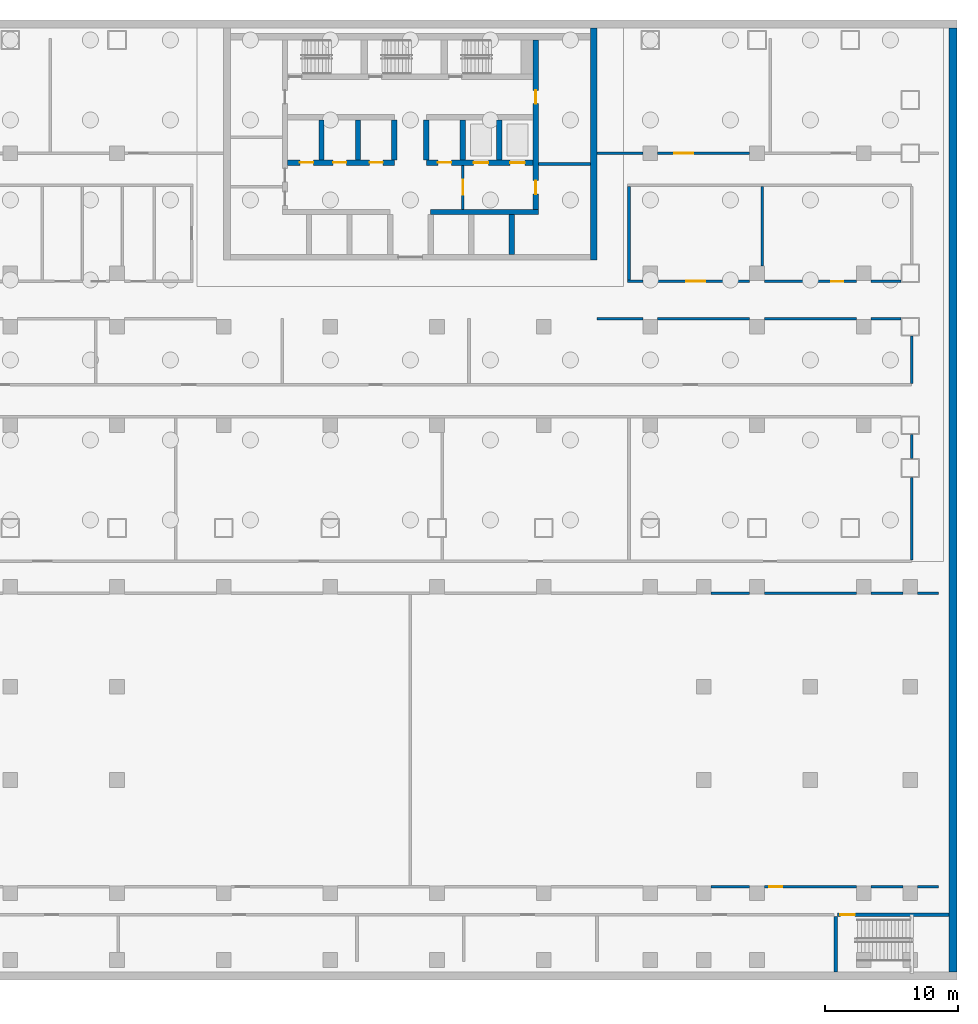
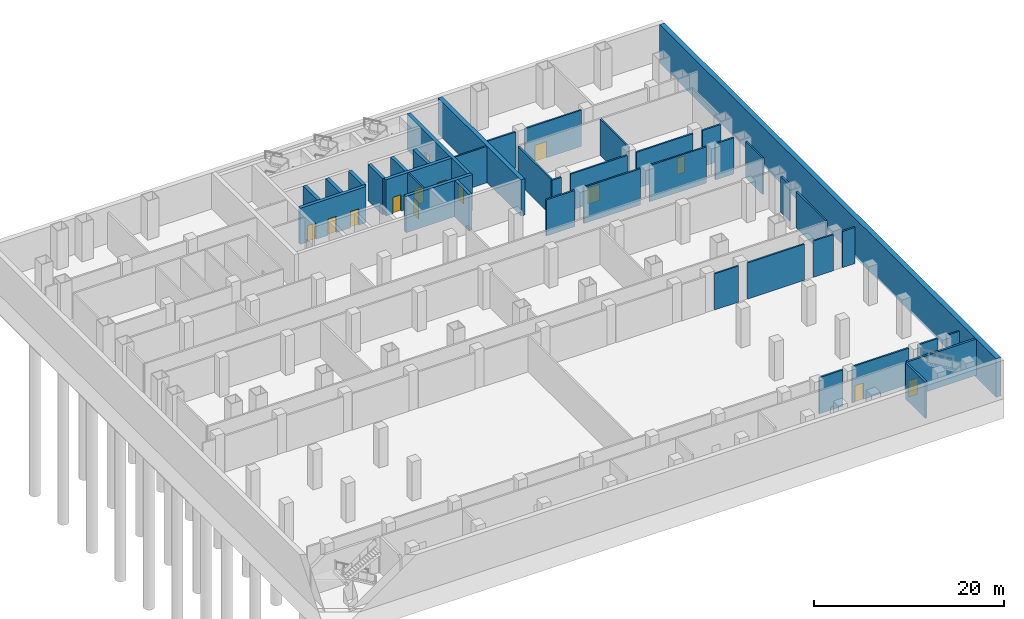
# One storey, part 8 of 14: 40 walls, 14 doors, 14 openings.
"""IFC4 building model written with IfcOpenShell, lengths in metres."""

from ifc_helpers import new_model, si_unit, direction, frame, frame_2d, origin, place, context, subcontext, project, spatial, rectangle, extrude, material, layer, layer_set, type_object, element, fill, save


model = new_model("IFC4")

# Units and contexts
model_context = context("Model", 3, precision=1e-05, world=origin(), true_north=direction((0.0, 1.0)))
body_context = subcontext(model_context, "Body", "Model", "MODEL_VIEW")
ifc_project = project(units=[si_unit("LENGTHUNIT", "METRE"), si_unit("AREAUNIT", "SQUARE_METRE"), si_unit("VOLUMEUNIT", "CUBIC_METRE"), si_unit("PLANEANGLEUNIT", "RADIAN"), si_unit("MASSUNIT", "GRAM", prefix="KILO")], contexts=[model_context])

# Site, building, storey
site_placement = place(None, origin())
site = spatial("IfcSite", under=ifc_project, at=site_placement, CompositionType="ELEMENT")
building_placement = place(site_placement, origin())
building = spatial("IfcBuilding", under=site, at=building_placement, Name="Vidyagriha Tower", CompositionType="ELEMENT")
storey_placement = place(building_placement, frame((0.0, 0.0, -10.0)))
storey = spatial("IfcBuildingStorey", under=building, at=storey_placement, Name="B2", CompositionType="ELEMENT", Elevation=-10.0)

# Wall
ifc_material_1 = material(Name="Concrete C50/60", Category="concrete")
ifc_layer_1 = layer(ifc_material_1, 0.60009765625)
ifc_layer_set_1 = layer_set([ifc_layer_1], Name="Concrete C50/60")
wall_type_1 = type_object("IfcWallType", Name="Basement retaining wall 600", PredefinedType="SOLIDWALL", material=ifc_layer_set_1)
wall_1_placement = place(storey_placement, frame((40.699951171875, -50.39990234375, -0.300048828125), z_axis=(0.0, 0.0, 1.0), x_axis=(0.0, 1.0, 0.0)))
element("IfcWall", 1, at=wall_1_placement, inside=storey, type_object=wall_type_1, Name="st-retwall-B2-e", PredefinedType="SOLIDWALL", context=body_context, shape_type="SweptSolid", body=[
    extrude(rectangle(XDim=70.7998046875, YDim=0.60009765625, at=frame_2d((35.39990234375, 0.0))), origin(), (0.0, 0.0, 1.0), 4.949951171875),
])

# Wall, opening, door
ifc_material_2 = material(Name="Concrete C32/40", Category="concrete")
ifc_layer_2 = layer(ifc_material_2, 0.25)
ifc_layer_set_2 = layer_set([ifc_layer_2], Name="Concrete C32/40")
wall_type_2 = type_object("IfcWallType", Name="Concrete Stair Enclosure Wall 250", PredefinedType="SOLIDWALL", material=ifc_layer_set_2)
wall_2_placement = place(storey_placement, frame((32.02490234375, -46.10009765625, 0.0)))
wall_2 = element("IfcWall", 2, at=wall_2_placement, inside=storey, type_object=wall_type_2, Name="B2 Concrete Stair Enclosure Wall 250 002", PredefinedType="SOLIDWALL", context=body_context, shape_type="SweptSolid", body=[
    extrude(rectangle(XDim=8.375, YDim=0.25, at=frame_2d((4.1875, 0.0))), origin(), (0.0, 0.0, 1.0), 4.64990234375),
])
opening_1_placement = place(wall_2_placement, frame((0.219970703125, 0.0, 0.0)))
opening_1 = element("IfcOpeningElement", 3, at=opening_1_placement, cuts=wall_2, Name="Opening DB2-41", PredefinedType="OPENING", context=body_context, shape_type="SweptSolid", body=[
    extrude(rectangle(XDim=1.10009765625, YDim=2.10009765625, at=frame_2d((0.550048828125, 1.050048828125))), frame((0.0, 0.135009765625, 0.0), z_axis=(0.0, -1.0, 0.0), x_axis=(1.0, 0.0, 0.0)), (0.0, 0.0, 1.0), 0.27001953125),
])
ifc_material_3 = material(Name="Steel fire door set", Category="steel")
door_type_1 = type_object("IfcDoorType", Name="Podium Door 1100x2100 EI 90", OperationType="NOTDEFINED", PredefinedType="DOOR", material=ifc_material_3)
door_1_placement = place(opening_1_placement, origin())
door_1 = element("IfcDoor", 4, at=door_1_placement, inside=storey, type_object=door_type_1, Name="B2 door DB2-41", OperationType="SINGLE_SWING_LEFT", OverallHeight=2.10009765625, OverallWidth=1.10009765625, PredefinedType="DOOR", context=body_context, shape_type="SweptSolid", body=[
    extrude(rectangle(XDim=1.10009765625, YDim=2.10009765625, at=frame_2d((0.550048828125, 1.050048828125))), frame((0.0, 0.02490234375, 0.0), z_axis=(0.0, -1.0, 0.0), x_axis=(1.0, 0.0, 0.0)), (0.0, 0.0, 1.0), 0.050048828125),
])
fill(opening_1, door_1)

# Wall
wall_3_placement = place(storey_placement, frame((31.89990234375, -50.39990234375, 0.0), z_axis=(0.0, 0.0, 1.0), x_axis=(0.0, 1.0, 0.0)))
element("IfcWall", 5, at=wall_3_placement, inside=storey, type_object=wall_type_2, Name="B2 Concrete Stair Enclosure Wall 250 083", PredefinedType="SOLIDWALL", context=body_context, shape_type="SweptSolid", body=[
    extrude(rectangle(XDim=4.1748046875, YDim=0.25, at=frame_2d((2.08740234375, 0.0))), origin(), (0.0, 0.0, 1.0), 4.64990234375),
])

# Wall, openings, doors
ifc_material_4 = material(Name="Concrete C60/75", Category="concrete")
ifc_layer_3 = layer(ifc_material_4, 0.39990234375)
ifc_layer_set_3 = layer_set([ifc_layer_3], Name="Concrete C60/75")
wall_type_3 = type_object("IfcWallType", Name="Core shear wall 400 mm", PredefinedType="SHEAR", material=ifc_layer_set_3)
wall_4_placement = place(storey_placement, frame((9.39990234375, 6.800048828125, 0.0), z_axis=(0.0, 0.0, 1.0), x_axis=(0.0, 1.0, 0.0)))
wall_4 = element("IfcWall", 6, at=wall_4_placement, inside=storey, type_object=wall_type_3, Name="Core east spine wall", PredefinedType="SHEAR", context=body_context, shape_type="SweptSolid", body=[
    extrude(rectangle(XDim=12.699951171875, YDim=0.39990234375, at=frame_2d((6.35009765625, 0.0))), origin(), (0.0, 0.0, 1.0), 4.64990234375),
])
opening_2_placement = place(wall_4_placement, frame((1.14990234375, 0.0, 0.0)))
opening_2 = element("IfcOpeningElement", 7, at=opening_2_placement, cuts=wall_4, Name="Opening DB2-13", PredefinedType="OPENING", context=body_context, shape_type="SweptSolid", body=[
    extrude(rectangle(XDim=1.0, YDim=2.10009765625, at=frame_2d((0.5, 1.050048828125))), frame((0.0, 0.2099609375, 0.0), z_axis=(0.0, -1.0, 0.0), x_axis=(1.0, 0.0, 0.0)), (0.0, 0.0, 1.0), 0.419921875),
])
opening_3_placement = place(wall_4_placement, frame((7.925048828125, 0.0, 0.0)))
opening_3 = element("IfcOpeningElement", 8, at=opening_3_placement, cuts=wall_4, Name="Opening DB2-14", PredefinedType="OPENING", context=body_context, shape_type="SweptSolid", body=[
    extrude(rectangle(XDim=1.0, YDim=2.10009765625, at=frame_2d((0.5, 1.050048828125))), frame((0.0, 0.2099609375, 0.0), z_axis=(0.0, -1.0, 0.0), x_axis=(1.0, 0.0, 0.0)), (0.0, 0.0, 1.0), 0.419921875),
])
ifc_material_5 = material(Name="Hollow metal door leaf")
door_type_2 = type_object("IfcDoorType", Name="Core room door 1000 x 2100 mm EI 60", OperationType="NOTDEFINED", PredefinedType="DOOR", material=ifc_material_5)
door_2_placement = place(opening_2_placement, origin())
door_2 = element("IfcDoor", 9, at=door_2_placement, inside=storey, type_object=door_type_2, Name="Door Cleaners Store B2.E1", OperationType="SINGLE_SWING_RIGHT", OverallHeight=2.10009765625, OverallWidth=1.0, PredefinedType="DOOR", context=body_context, shape_type="SweptSolid", body=[
    extrude(rectangle(XDim=1.0, YDim=2.10009765625, at=frame_2d((0.5, 1.050048828125))), frame((0.0, 0.02490234375, 0.0), z_axis=(0.0, -1.0, 0.0), x_axis=(1.0, 0.0, 0.0)), (0.0, 0.0, 1.0), 0.050048828125),
])
fill(opening_2, door_2)
door_3_placement = place(opening_3_placement, origin())
door_3 = element("IfcDoor", 10, at=door_3_placement, inside=storey, type_object=door_type_2, Name="Door Pressurisation Plant Room B2.E2", OperationType="SINGLE_SWING_LEFT", OverallHeight=2.10009765625, OverallWidth=1.0, PredefinedType="DOOR", context=body_context, shape_type="SweptSolid", body=[
    extrude(rectangle(XDim=1.0, YDim=2.10009765625, at=frame_2d((0.5, 1.050048828125))), frame((0.0, 0.02490234375, 0.0), z_axis=(0.0, -1.0, 0.0), x_axis=(1.0, 0.0, 0.0)), (0.0, 0.0, 1.0), 0.050048828125),
])
fill(opening_3, door_3)

# Walls
wall_5_placement = place(storey_placement, frame((1.522216796875, 6.60009765625, 0.0)))
element("IfcWall", 11, at=wall_5_placement, inside=storey, type_object=wall_type_3, Name="Core lobby south wall east", PredefinedType="SHEAR", context=body_context, shape_type="SweptSolid", body=[
    extrude(rectangle(XDim=8.077880859375, YDim=0.39990234375, at=frame_2d((4.0390625, 0.0))), origin(), (0.0, 0.0, 1.0), 4.64990234375),
])
wall_6_placement = place(storey_placement, frame((7.611083984375, 3.39990234375, 0.0), z_axis=(0.0, 0.0, 1.0), x_axis=(0.0, 1.0, 0.0)))
element("IfcWall", 12, at=wall_6_placement, inside=storey, type_object=wall_type_3, Name="Core bay wall S7", PredefinedType="SHEAR", context=body_context, shape_type="SweptSolid", body=[
    extrude(rectangle(XDim=3.0, YDim=0.39990234375, at=frame_2d((1.5, 0.0))), origin(), (0.0, 0.0, 1.0), 4.64990234375),
])

# Wall, openings, doors
wall_7_placement = place(storey_placement, frame((-9.199951171875, 10.300048828125, 0.0)))
wall_7 = element("IfcWall", 13, at=wall_7_placement, inside=storey, type_object=wall_type_3, Name="Core row N front wall", PredefinedType="SHEAR", context=body_context, shape_type="SweptSolid", body=[
    extrude(rectangle(XDim=8.0, YDim=0.39990234375, at=frame_2d((4.0, 0.0))), origin(), (0.0, 0.0, 1.0), 4.64990234375),
])
opening_4_placement = place(wall_7_placement, frame((0.916748046875, 0.0, 0.0)))
opening_4 = element("IfcOpeningElement", 14, at=opening_4_placement, cuts=wall_7, Name="Opening DB2-02", PredefinedType="OPENING", context=body_context, shape_type="SweptSolid", body=[
    extrude(rectangle(XDim=1.0, YDim=2.10009765625, at=frame_2d((0.5, 1.050048828125))), frame((0.0, 0.2099609375, 0.0), z_axis=(0.0, -1.0, 0.0), x_axis=(1.0, 0.0, 0.0)), (0.0, 0.0, 1.0), 0.419921875),
])
opening_5_placement = place(wall_7_placement, frame((3.39990234375, 0.0, 0.0)))
opening_5 = element("IfcOpeningElement", 15, at=opening_5_placement, cuts=wall_7, Name="Opening DB2-03", PredefinedType="OPENING", context=body_context, shape_type="SweptSolid", body=[
    extrude(rectangle(XDim=1.0, YDim=2.10009765625, at=frame_2d((0.5, 1.050048828125))), frame((0.0, 0.2099609375, 0.0), z_axis=(0.0, -1.0, 0.0), x_axis=(1.0, 0.0, 0.0)), (0.0, 0.0, 1.0), 0.419921875),
])
opening_6_placement = place(wall_7_placement, frame((6.13330078125, 0.0, 0.0)))
opening_6 = element("IfcOpeningElement", 16, at=opening_6_placement, cuts=wall_7, Name="Opening DB2-04", PredefinedType="OPENING", context=body_context, shape_type="SweptSolid", body=[
    extrude(rectangle(XDim=1.0, YDim=2.10009765625, at=frame_2d((0.5, 1.050048828125))), frame((0.0, 0.2099609375, 0.0), z_axis=(0.0, -1.0, 0.0), x_axis=(1.0, 0.0, 0.0)), (0.0, 0.0, 1.0), 0.419921875),
])
door_4_placement = place(opening_4_placement, frame((1.0, 0.0, 0.0), z_axis=(0.0, 0.0, 1.0), x_axis=(-1.0, 0.0, 0.0)))
door_4 = element("IfcDoor", 17, at=door_4_placement, inside=storey, type_object=door_type_2, Name="Door Mechanical Riser Room B2.14", OperationType="SINGLE_SWING_RIGHT", OverallHeight=2.10009765625, OverallWidth=1.0, PredefinedType="DOOR", context=body_context, shape_type="SweptSolid", body=[
    extrude(rectangle(XDim=1.0, YDim=2.10009765625, at=frame_2d((0.5, 1.050048828125))), frame((0.0, 0.02490234375, 0.0), z_axis=(0.0, -1.0, 0.0), x_axis=(1.0, 0.0, 0.0)), (0.0, 0.0, 1.0), 0.050048828125),
])
fill(opening_4, door_4)
door_5_placement = place(opening_5_placement, frame((1.0, 0.0, 0.0), z_axis=(0.0, 0.0, 1.0), x_axis=(-1.0, 0.0, 0.0)))
door_5 = element("IfcDoor", 18, at=door_5_placement, inside=storey, type_object=door_type_2, Name="Door Storage Room B2.15", OperationType="SINGLE_SWING_RIGHT", OverallHeight=2.10009765625, OverallWidth=1.0, PredefinedType="DOOR", context=body_context, shape_type="SweptSolid", body=[
    extrude(rectangle(XDim=1.0, YDim=2.10009765625, at=frame_2d((0.5, 1.050048828125))), frame((0.0, 0.02490234375, 0.0), z_axis=(0.0, -1.0, 0.0), x_axis=(1.0, 0.0, 0.0)), (0.0, 0.0, 1.0), 0.050048828125),
])
fill(opening_5, door_5)
door_6_placement = place(opening_6_placement, frame((1.0, 0.0, 0.0), z_axis=(0.0, 0.0, 1.0), x_axis=(-1.0, 0.0, 0.0)))
door_6 = element("IfcDoor", 19, at=door_6_placement, inside=storey, type_object=door_type_2, Name="Door Communications Room B2.16", OperationType="SINGLE_SWING_LEFT", OverallHeight=2.10009765625, OverallWidth=1.0, PredefinedType="DOOR", context=body_context, shape_type="SweptSolid", body=[
    extrude(rectangle(XDim=1.0, YDim=2.10009765625, at=frame_2d((0.5, 1.050048828125))), frame((0.0, 0.02490234375, 0.0), z_axis=(0.0, -1.0, 0.0), x_axis=(1.0, 0.0, 0.0)), (0.0, 0.0, 1.0), 0.050048828125),
])
fill(opening_6, door_6)

wall_8_placement = place(storey_placement, frame((1.199951171875, 10.300048828125, 0.0)))
wall_8 = element("IfcWall", 20, at=wall_8_placement, inside=storey, type_object=wall_type_3, Name="Core row N front wall", PredefinedType="SHEAR", context=body_context, shape_type="SweptSolid", body=[
    extrude(rectangle(XDim=8.0, YDim=0.39990234375, at=frame_2d((4.0, 0.0))), origin(), (0.0, 0.0, 1.0), 4.64990234375),
])
opening_7_placement = place(wall_8_placement, frame((3.550048828125, 0.0, 0.0)))
opening_7 = element("IfcOpeningElement", 21, at=opening_7_placement, cuts=wall_8, Name="Opening LDB2-01", PredefinedType="OPENING", context=body_context, shape_type="SweptSolid", body=[
    extrude(rectangle(XDim=1.10009765625, YDim=2.10009765625, at=frame_2d((0.550048828125, 1.050048828125))), frame((0.0, 0.2099609375, 0.0), z_axis=(0.0, -1.0, 0.0), x_axis=(1.0, 0.0, 0.0)), (0.0, 0.0, 1.0), 0.419921875),
])
opening_8_placement = place(wall_8_placement, frame((6.283203125, 0.0, 0.0)))
opening_8 = element("IfcOpeningElement", 22, at=opening_8_placement, cuts=wall_8, Name="Opening LDB2-02", PredefinedType="OPENING", context=body_context, shape_type="SweptSolid", body=[
    extrude(rectangle(XDim=1.10009765625, YDim=2.10009765625, at=frame_2d((0.550048828125, 1.050048828125))), frame((0.0, 0.2099609375, 0.0), z_axis=(0.0, -1.0, 0.0), x_axis=(1.0, 0.0, 0.0)), (0.0, 0.0, 1.0), 0.419921875),
])
opening_9_placement = place(wall_8_placement, frame((0.86669921875, 0.0, 0.0)))
opening_9 = element("IfcOpeningElement", 23, at=opening_9_placement, cuts=wall_8, Name="Opening DB2-05", PredefinedType="OPENING", context=body_context, shape_type="SweptSolid", body=[
    extrude(rectangle(XDim=1.0, YDim=2.10009765625, at=frame_2d((0.5, 1.050048828125))), frame((0.0, 0.2099609375, 0.0), z_axis=(0.0, -1.0, 0.0), x_axis=(1.0, 0.0, 0.0)), (0.0, 0.0, 1.0), 0.419921875),
])
door_7_placement = place(opening_9_placement, frame((1.0, 0.0, 0.0), z_axis=(0.0, 0.0, 1.0), x_axis=(-1.0, 0.0, 0.0)))
door_7 = element("IfcDoor", 24, at=door_7_placement, inside=storey, type_object=door_type_2, Name="Door Refuse Room B2.17", OperationType="SINGLE_SWING_LEFT", OverallHeight=2.10009765625, OverallWidth=1.0, PredefinedType="DOOR", context=body_context, shape_type="SweptSolid", body=[
    extrude(rectangle(XDim=1.0, YDim=2.10009765625, at=frame_2d((0.5, 1.050048828125))), frame((0.0, 0.02490234375, 0.0), z_axis=(0.0, -1.0, 0.0), x_axis=(1.0, 0.0, 0.0)), (0.0, 0.0, 1.0), 0.050048828125),
])
fill(opening_9, door_7)
ifc_material_6 = material(Name="Stainless steel sliding door panel", Category="steel")
door_type_3 = type_object("IfcDoorType", Name="Lift landing door 1100 x 2100 mm EI 90", OperationType="NOTDEFINED", PredefinedType="DOOR", material=ifc_material_6)
door_8_placement = place(opening_7_placement, origin())
door_8 = element("IfcDoor", 25, at=door_8_placement, inside=storey, type_object=door_type_3, Name="Landing door FF1 B2", OperationType="SLIDING_TO_LEFT", OverallHeight=2.10009765625, OverallWidth=1.10009765625, PredefinedType="DOOR", context=body_context, shape_type="SweptSolid", body=[
    extrude(rectangle(XDim=1.10009765625, YDim=2.10009765625, at=frame_2d((0.550048828125, 1.050048828125))), frame((0.0, 0.02490234375, 0.0), z_axis=(0.0, -1.0, 0.0), x_axis=(1.0, 0.0, 0.0)), (0.0, 0.0, 1.0), 0.050048828125),
])
fill(opening_7, door_8)
door_9_placement = place(opening_8_placement, origin())
door_9 = element("IfcDoor", 26, at=door_9_placement, inside=storey, type_object=door_type_3, Name="Landing door FF2 B2", OperationType="SLIDING_TO_LEFT", OverallHeight=2.10009765625, OverallWidth=1.10009765625, PredefinedType="DOOR", context=body_context, shape_type="SweptSolid", body=[
    extrude(rectangle(XDim=1.10009765625, YDim=2.10009765625, at=frame_2d((0.550048828125, 1.050048828125))), frame((0.0, 0.02490234375, 0.0), z_axis=(0.0, -1.0, 0.0), x_axis=(1.0, 0.0, 0.0)), (0.0, 0.0, 1.0), 0.050048828125),
])
fill(opening_8, door_9)

# Walls
for number, where, z_axis, x_axis, name in (
    (27, (-6.666748046875, 10.5, 0.0), (0.0, 0.0, 1.0), (0.0, 1.0, 0.0), "Core bay wall N1"),
    (28, (-3.933349609375, 10.5, 0.0), (0.0, 0.0, 1.0), (0.0, 1.0, 0.0), "Core bay wall N2"),
    (29, (-1.199951171875, 10.5, 0.0), (0.0, 0.0, 1.0), (0.0, 1.0, 0.0), "Core bay wall N3"),
    (30, (1.199951171875, 10.5, 0.0), (0.0, 0.0, 1.0), (0.0, 1.0, 0.0), "Core bay wall N4"),
    (31, (3.933349609375, 10.5, 0.0), (0.0, 0.0, 1.0), (0.0, 1.0, 0.0), "Core bay wall N5"),
    (32, (6.666748046875, 10.5, 0.0), (0.0, 0.0, 1.0), (0.0, 1.0, 0.0), "Core bay wall N6"),
):
    element("IfcWall", number, at=place(storey_placement, frame(where, z_axis=z_axis, x_axis=x_axis)), inside=storey, type_object=wall_type_3, Name=name, PredefinedType="SHEAR", context=body_context, shape_type="SweptSolid", body=[
        extrude(rectangle(XDim=3.0, YDim=0.39990234375, at=frame_2d((1.5, 0.0))), origin(), (0.0, 0.0, 1.0), 4.64990234375),
    ])
ifc_material_7 = material(Name="Concrete C60/75", Category="concrete")
ifc_layer_4 = layer(ifc_material_7, 0.5)
ifc_layer_set_4 = layer_set([ifc_layer_4], Name="Concrete C60/75")
wall_type_4 = type_object("IfcWallType", Name="Core shear wall 500 mm", PredefinedType="SHEAR", material=ifc_layer_set_4)
wall_9_placement = place(storey_placement, frame((13.75, 3.0, 0.0), z_axis=(0.0, 0.0, 1.0), x_axis=(0.0, 1.0, 0.0)))
element("IfcWall", 33, at=wall_9_placement, inside=storey, type_object=wall_type_4, Name="Core east wall", PredefinedType="SHEAR", context=body_context, shape_type="SweptSolid", body=[
    extrude(rectangle(XDim=17.39990234375, YDim=0.5, at=frame_2d((8.699951171875, 0.0))), origin(), (0.0, 0.0, 1.0), 4.64990234375),
])
ifc_material_8 = material(Name="Fire rated gypsum board on light gauge framing")
ifc_layer_5 = layer(ifc_material_8, 0.199951171875)
ifc_layer_set_5 = layer_set([ifc_layer_5], Name="Fire rated gypsum board on light gauge framing")
wall_type_5 = type_object("IfcWallType", Name="Fire Rated Corridor Wall 200", PredefinedType="PARTITIONING", material=ifc_layer_set_5)
wall_10_placement = place(storey_placement, frame((22.550048828125, -44.0, 0.0)))
element("IfcWall", 34, at=wall_10_placement, inside=storey, type_object=wall_type_5, Name="B2 Fire Rated Corridor Wall 200 012", PredefinedType="PARTITIONING", context=body_context, shape_type="SweptSolid", body=[
    extrude(rectangle(XDim=2.89990234375, YDim=0.199951171875, at=frame_2d((1.449951171875, 0.0))), origin(), (0.0, 0.0, 1.0), 4.64990234375),
])

# Wall, opening, door
wall_11_placement = place(storey_placement, frame((26.550048828125, -44.0, 0.0)))
wall_11 = element("IfcWall", 35, at=wall_11_placement, inside=storey, type_object=wall_type_5, Name="B2 Fire Rated Corridor Wall 200 013", PredefinedType="PARTITIONING", context=body_context, shape_type="SweptSolid", body=[
    extrude(rectangle(XDim=6.89990234375, YDim=0.199951171875, at=frame_2d((3.449951171875, 0.0))), origin(), (0.0, 0.0, 1.0), 4.64990234375),
])
opening_10_placement = place(wall_11_placement, frame((0.35009765625, 0.0, 0.0)))
opening_10 = element("IfcOpeningElement", 36, at=opening_10_placement, cuts=wall_11, Name="Opening DB2-39", PredefinedType="OPENING", context=body_context, shape_type="SweptSolid", body=[
    extrude(rectangle(XDim=1.0, YDim=2.10009765625, at=frame_2d((0.5, 1.050048828125))), frame((0.0, 0.10986328125, 0.0), z_axis=(0.0, -1.0, 0.0), x_axis=(1.0, 0.0, 0.0)), (0.0, 0.0, 1.0), 0.219970703125),
])
ifc_material_9 = material(Name="Steel fire door set", Category="steel")
door_type_4 = type_object("IfcDoorType", Name="Podium Door 1000x2100 EI 60", OperationType="NOTDEFINED", PredefinedType="DOOR", material=ifc_material_9)
door_10_placement = place(opening_10_placement, origin())
door_10 = element("IfcDoor", 37, at=door_10_placement, inside=storey, type_object=door_type_4, Name="B2 door DB2-39", OperationType="SINGLE_SWING_LEFT", OverallHeight=2.10009765625, OverallWidth=1.0, PredefinedType="DOOR", context=body_context, shape_type="SweptSolid", body=[
    extrude(rectangle(XDim=1.0, YDim=2.10009765625, at=frame_2d((0.5, 1.050048828125))), frame((0.0, 0.02490234375, 0.0), z_axis=(0.0, -1.0, 0.0), x_axis=(1.0, 0.0, 0.0)), (0.0, 0.0, 1.0), 0.050048828125),
])
fill(opening_10, door_10)

# Walls
wall_12_placement = place(storey_placement, frame((34.550048828125, -44.0, 0.0)))
element("IfcWall", 38, at=wall_12_placement, inside=storey, type_object=wall_type_5, Name="B2 Fire Rated Corridor Wall 200 014", PredefinedType="PARTITIONING", context=body_context, shape_type="SweptSolid", body=[
    extrude(rectangle(XDim=2.39990234375, YDim=0.199951171875, at=frame_2d((1.199951171875, 0.0))), origin(), (0.0, 0.0, 1.0), 4.64990234375),
])
wall_13_placement = place(storey_placement, frame((38.050048828125, -44.0, 0.0)))
element("IfcWall", 39, at=wall_13_placement, inside=storey, type_object=wall_type_5, Name="B2 Fire Rated Corridor Wall 200 015", PredefinedType="PARTITIONING", context=body_context, shape_type="SweptSolid", body=[
    extrude(rectangle(XDim=1.550048828125, YDim=0.199951171875, at=frame_2d((0.77490234375, 0.0))), origin(), (0.0, 0.0, 1.0), 4.64990234375),
])
wall_14_placement = place(storey_placement, frame((22.550048828125, -22.0, 0.0)))
element("IfcWall", 40, at=wall_14_placement, inside=storey, type_object=wall_type_5, Name="B2 Fire Rated Corridor Wall 200 025", PredefinedType="PARTITIONING", context=body_context, shape_type="SweptSolid", body=[
    extrude(rectangle(XDim=2.89990234375, YDim=0.199951171875, at=frame_2d((1.449951171875, 0.0))), origin(), (0.0, 0.0, 1.0), 4.64990234375),
])
wall_15_placement = place(storey_placement, frame((26.550048828125, -22.0, 0.0)))
element("IfcWall", 41, at=wall_15_placement, inside=storey, type_object=wall_type_5, Name="B2 Fire Rated Corridor Wall 200 026", PredefinedType="PARTITIONING", context=body_context, shape_type="SweptSolid", body=[
    extrude(rectangle(XDim=6.89990234375, YDim=0.199951171875, at=frame_2d((3.449951171875, 0.0))), origin(), (0.0, 0.0, 1.0), 4.64990234375),
])
wall_16_placement = place(storey_placement, frame((34.550048828125, -22.0, 0.0)))
element("IfcWall", 42, at=wall_16_placement, inside=storey, type_object=wall_type_5, Name="B2 Fire Rated Corridor Wall 200 027", PredefinedType="PARTITIONING", context=body_context, shape_type="SweptSolid", body=[
    extrude(rectangle(XDim=2.39990234375, YDim=0.199951171875, at=frame_2d((1.199951171875, 0.0))), origin(), (0.0, 0.0, 1.0), 4.64990234375),
])
wall_17_placement = place(storey_placement, frame((38.050048828125, -22.0, 0.0)))
element("IfcWall", 43, at=wall_17_placement, inside=storey, type_object=wall_type_5, Name="B2 Fire Rated Corridor Wall 200 028", PredefinedType="PARTITIONING", context=body_context, shape_type="SweptSolid", body=[
    extrude(rectangle(XDim=1.550048828125, YDim=0.199951171875, at=frame_2d((0.77490234375, 0.0))), origin(), (0.0, 0.0, 1.0), 4.64990234375),
])
wall_18_placement = place(storey_placement, frame((14.0, -1.39990234375, 0.0)))
element("IfcWall", 44, at=wall_18_placement, inside=storey, type_object=wall_type_5, Name="B2 Fire Rated Corridor Wall 200 035", PredefinedType="PARTITIONING", context=body_context, shape_type="SweptSolid", body=[
    extrude(rectangle(XDim=3.449951171875, YDim=0.199951171875, at=frame_2d((1.72509765625, 0.0))), origin(), (0.0, 0.0, 1.0), 4.64990234375),
])
for number, where, name in (
    (45, (18.550048828125, -1.39990234375, 0.0), "B2 Fire Rated Corridor Wall 200 036"),
    (46, (26.550048828125, -1.39990234375, 0.0), "B2 Fire Rated Corridor Wall 200 037"),
):
    element("IfcWall", number, at=place(storey_placement, frame(where)), inside=storey, type_object=wall_type_5, Name=name, PredefinedType="PARTITIONING", context=body_context, shape_type="SweptSolid", body=[
        extrude(rectangle(XDim=6.89990234375, YDim=0.199951171875, at=frame_2d((3.449951171875, 0.0))), origin(), (0.0, 0.0, 1.0), 4.64990234375),
    ])
wall_19_placement = place(storey_placement, frame((34.550048828125, -1.39990234375, 0.0)))
element("IfcWall", 47, at=wall_19_placement, inside=storey, type_object=wall_type_5, Name="B2 Fire Rated Corridor Wall 200 038", PredefinedType="PARTITIONING", context=body_context, shape_type="SweptSolid", body=[
    extrude(rectangle(XDim=2.25, YDim=0.199951171875, at=frame_2d((1.125, 0.0))), origin(), (0.0, 0.0, 1.0), 4.64990234375),
])
wall_20_placement = place(storey_placement, frame((16.300048828125, 1.39990234375, 0.0)))
element("IfcWall", 48, at=wall_20_placement, inside=storey, type_object=wall_type_5, Name="B2 Fire Rated Corridor Wall 200 042", PredefinedType="PARTITIONING", context=body_context, shape_type="SweptSolid", body=[
    extrude(rectangle(XDim=1.14990234375, YDim=0.199951171875, at=frame_2d((0.574951171875, 0.0))), origin(), (0.0, 0.0, 1.0), 4.64990234375),
])

# Wall, opening, door
wall_21_placement = place(storey_placement, frame((18.550048828125, 1.39990234375, 0.0)))
wall_21 = element("IfcWall", 49, at=wall_21_placement, inside=storey, type_object=wall_type_5, Name="B2 Fire Rated Corridor Wall 200 043", PredefinedType="PARTITIONING", context=body_context, shape_type="SweptSolid", body=[
    extrude(rectangle(XDim=6.89990234375, YDim=0.199951171875, at=frame_2d((3.449951171875, 0.0))), origin(), (0.0, 0.0, 1.0), 4.64990234375),
])
opening_11_placement = place(wall_21_placement, frame((2.14990234375, 0.0, 0.0)))
opening_11 = element("IfcOpeningElement", 50, at=opening_11_placement, cuts=wall_21, Name="Opening DB2-32", PredefinedType="OPENING", context=body_context, shape_type="SweptSolid", body=[
    extrude(rectangle(XDim=1.39990234375, YDim=2.10009765625, at=frame_2d((0.699951171875, 1.050048828125))), frame((0.0, 0.10986328125, 0.0), z_axis=(0.0, -1.0, 0.0), x_axis=(1.0, 0.0, 0.0)), (0.0, 0.0, 1.0), 0.219970703125),
])
ifc_material_10 = material(Name="Steel fire door set", Category="steel")
door_type_5 = type_object("IfcDoorType", Name="Podium Door 1400x2100 EI 60 Pair", OperationType="NOTDEFINED", PredefinedType="DOOR", material=ifc_material_10)
door_11_placement = place(opening_11_placement, frame((1.39990234375, 0.0, 0.0), z_axis=(0.0, 0.0, 1.0), x_axis=(-1.0, 0.0, 0.0)))
door_11 = element("IfcDoor", 51, at=door_11_placement, inside=storey, type_object=door_type_5, Name="B2 door DB2-32", OperationType="DOUBLE_DOOR_SINGLE_SWING", OverallHeight=2.10009765625, OverallWidth=1.39990234375, PredefinedType="DOOR", context=body_context, shape_type="SweptSolid", body=[
    extrude(rectangle(XDim=1.39990234375, YDim=2.10009765625, at=frame_2d((0.699951171875, 1.050048828125))), frame((0.0, 0.02490234375, 0.0), z_axis=(0.0, -1.0, 0.0), x_axis=(1.0, 0.0, 0.0)), (0.0, 0.0, 1.0), 0.050048828125),
])
fill(opening_11, door_11)

wall_22_placement = place(storey_placement, frame((26.550048828125, 1.39990234375, 0.0)))
wall_22 = element("IfcWall", 52, at=wall_22_placement, inside=storey, type_object=wall_type_5, Name="B2 Fire Rated Corridor Wall 200 044", PredefinedType="PARTITIONING", context=body_context, shape_type="SweptSolid", body=[
    extrude(rectangle(XDim=6.89990234375, YDim=0.199951171875, at=frame_2d((3.449951171875, 0.0))), origin(), (0.0, 0.0, 1.0), 4.64990234375),
])
opening_12_placement = place(wall_22_placement, frame((5.0, 0.0, 0.0)))
opening_12 = element("IfcOpeningElement", 53, at=opening_12_placement, cuts=wall_22, Name="Opening DB2-33", PredefinedType="OPENING", context=body_context, shape_type="SweptSolid", body=[
    extrude(rectangle(XDim=0.89990234375, YDim=2.10009765625, at=frame_2d((0.449951171875, 1.050048828125))), frame((0.0, 0.10986328125, 0.0), z_axis=(0.0, -1.0, 0.0), x_axis=(1.0, 0.0, 0.0)), (0.0, 0.0, 1.0), 0.219970703125),
])
ifc_material_11 = material(Name="Steel fire door set", Category="steel")
door_type_6 = type_object("IfcDoorType", Name="Podium Door 900x2100 EI 30", OperationType="NOTDEFINED", PredefinedType="DOOR", material=ifc_material_11)
door_12_placement = place(opening_12_placement, origin())
door_12 = element("IfcDoor", 54, at=door_12_placement, inside=storey, type_object=door_type_6, Name="B2 door DB2-33", OperationType="SINGLE_SWING_RIGHT", OverallHeight=2.10009765625, OverallWidth=0.89990234375, PredefinedType="DOOR", context=body_context, shape_type="SweptSolid", body=[
    extrude(rectangle(XDim=0.89990234375, YDim=2.10009765625, at=frame_2d((0.449951171875, 1.050048828125))), frame((0.0, 0.02490234375, 0.0), z_axis=(0.0, -1.0, 0.0), x_axis=(1.0, 0.0, 0.0)), (0.0, 0.0, 1.0), 0.050048828125),
])
fill(opening_12, door_12)

# Walls
wall_23_placement = place(storey_placement, frame((34.550048828125, 1.39990234375, 0.0)))
element("IfcWall", 55, at=wall_23_placement, inside=storey, type_object=wall_type_5, Name="B2 Fire Rated Corridor Wall 200 045", PredefinedType="PARTITIONING", context=body_context, shape_type="SweptSolid", body=[
    extrude(rectangle(XDim=2.25, YDim=0.199951171875, at=frame_2d((1.125, 0.0))), origin(), (0.0, 0.0, 1.0), 4.64990234375),
])
wall_24_placement = place(storey_placement, frame((14.0, 11.0, 0.0)))
element("IfcWall", 56, at=wall_24_placement, inside=storey, type_object=wall_type_5, Name="B2 Fire Rated Corridor Wall 200 052", PredefinedType="PARTITIONING", context=body_context, shape_type="SweptSolid", body=[
    extrude(rectangle(XDim=3.449951171875, YDim=0.199951171875, at=frame_2d((1.72509765625, 0.0))), origin(), (0.0, 0.0, 1.0), 4.64990234375),
])

# Wall, opening, door
wall_25_placement = place(storey_placement, frame((18.550048828125, 11.0, 0.0)))
wall_25 = element("IfcWall", 57, at=wall_25_placement, inside=storey, type_object=wall_type_5, Name="B2 Fire Rated Corridor Wall 200 053", PredefinedType="PARTITIONING", context=body_context, shape_type="SweptSolid", body=[
    extrude(rectangle(XDim=6.89990234375, YDim=0.199951171875, at=frame_2d((3.449951171875, 0.0))), origin(), (0.0, 0.0, 1.0), 4.64990234375),
])
opening_13_placement = place(wall_25_placement, frame((1.25, 0.0, 0.0)))
opening_13 = element("IfcOpeningElement", 58, at=opening_13_placement, cuts=wall_25, Name="Opening DB2-36", PredefinedType="OPENING", context=body_context, shape_type="SweptSolid", body=[
    extrude(rectangle(XDim=1.39990234375, YDim=2.10009765625, at=frame_2d((0.699951171875, 1.050048828125))), frame((0.0, 0.10986328125, 0.0), z_axis=(0.0, -1.0, 0.0), x_axis=(1.0, 0.0, 0.0)), (0.0, 0.0, 1.0), 0.219970703125),
])
door_13_placement = place(opening_13_placement, frame((1.39990234375, 0.0, 0.0), z_axis=(0.0, 0.0, 1.0), x_axis=(-1.0, 0.0, 0.0)))
door_13 = element("IfcDoor", 59, at=door_13_placement, inside=storey, type_object=door_type_5, Name="B2 door DB2-36", OperationType="DOUBLE_DOOR_SINGLE_SWING", OverallHeight=2.10009765625, OverallWidth=1.39990234375, PredefinedType="DOOR", context=body_context, shape_type="SweptSolid", body=[
    extrude(rectangle(XDim=1.39990234375, YDim=2.10009765625, at=frame_2d((0.699951171875, 1.050048828125))), frame((0.0, 0.02490234375, 0.0), z_axis=(0.0, -1.0, 0.0), x_axis=(1.0, 0.0, 0.0)), (0.0, 0.0, 1.0), 0.050048828125),
])
fill(opening_13, door_13)

# Walls
wall_26_placement = place(storey_placement, frame((16.39990234375, 1.5, 0.0), z_axis=(0.0, 0.0, 1.0), x_axis=(0.0, 1.0, 0.0)))
element("IfcWall", 60, at=wall_26_placement, inside=storey, type_object=wall_type_5, Name="B2 Fire Rated Corridor Wall 200 080", PredefinedType="PARTITIONING", context=body_context, shape_type="SweptSolid", body=[
    extrude(rectangle(XDim=7.0, YDim=0.199951171875, at=frame_2d((3.5, 0.0))), origin(), (0.0, 0.0, 1.0), 4.64990234375),
])
wall_27_placement = place(storey_placement, frame((26.39990234375, 2.550048828125, 0.0), z_axis=(0.0, 0.0, 1.0), x_axis=(0.0, 1.0, 0.0)))
element("IfcWall", 61, at=wall_27_placement, inside=storey, type_object=wall_type_5, Name="B2 Fire Rated Corridor Wall 200 081", PredefinedType="PARTITIONING", context=body_context, shape_type="SweptSolid", body=[
    extrude(rectangle(XDim=5.949951171875, YDim=0.199951171875, at=frame_2d((2.97509765625, 0.0))), origin(), (0.0, 0.0, 1.0), 4.64990234375),
])
wall_28_placement = place(storey_placement, frame((37.60009765625, -19.5, 0.0), z_axis=(0.0, 0.0, 1.0), x_axis=(0.0, 1.0, 0.0)))
element("IfcWall", 62, at=wall_28_placement, inside=storey, type_object=wall_type_5, Name="B2 Fire Rated Corridor Wall 200 084", PredefinedType="PARTITIONING", context=body_context, shape_type="SweptSolid", body=[
    extrude(rectangle(XDim=6.199951171875, YDim=0.199951171875, at=frame_2d((3.10009765625, 0.0))), origin(), (0.0, 0.0, 1.0), 4.64990234375),
])
wall_29_placement = place(storey_placement, frame((37.60009765625, -11.89990234375, 0.0), z_axis=(0.0, 0.0, 1.0), x_axis=(0.0, 1.0, 0.0)))
element("IfcWall", 63, at=wall_29_placement, inside=storey, type_object=wall_type_5, Name="B2 Fire Rated Corridor Wall 200 085", PredefinedType="PARTITIONING", context=body_context, shape_type="SweptSolid", body=[
    extrude(rectangle(XDim=1.7998046875, YDim=0.199951171875, at=frame_2d((0.89990234375, 0.0))), origin(), (0.0, 0.0, 1.0), 4.64990234375),
])
wall_30_placement = place(storey_placement, frame((37.60009765625, -6.25, 0.0), z_axis=(0.0, 0.0, 1.0), x_axis=(0.0, 1.0, 0.0)))
element("IfcWall", 64, at=wall_30_placement, inside=storey, type_object=wall_type_5, Name="B2 Fire Rated Corridor Wall 200 086", PredefinedType="PARTITIONING", context=body_context, shape_type="SweptSolid", body=[
    extrude(rectangle(XDim=3.550048828125, YDim=0.199951171875, at=frame_2d((1.77490234375, 0.0))), origin(), (0.0, 0.0, 1.0), 4.64990234375),
])

# Wall, opening, door
ifc_material_12 = material(Name="Blockwork 15 MPa", Category="masonry")
ifc_layer_6 = layer(ifc_material_12, 0.199951171875)
ifc_layer_set_6 = layer_set([ifc_layer_6], Name="Blockwork 15 MPa")
wall_type_6 = type_object("IfcWallType", Name="Service room partition 200 mm", PredefinedType="PARTITIONING", material=ifc_layer_set_6)
wall_31_placement = place(storey_placement, frame((3.933349609375, 6.800048828125, 0.0), z_axis=(0.0, 0.0, 1.0), x_axis=(0.0, 1.0, 0.0)))
wall_31 = element("IfcWall", 65, at=wall_31_placement, inside=storey, type_object=wall_type_6, Name="Fire-fighting lobby west wall", PredefinedType="PARTITIONING", context=body_context, shape_type="SweptSolid", body=[
    extrude(rectangle(XDim=3.300048828125, YDim=0.199951171875, at=frame_2d((1.64990234375, 0.0))), origin(), (0.0, 0.0, 1.0), 4.64990234375),
])
opening_14_placement = place(wall_31_placement, frame((1.10009765625, 0.0, 0.0)))
opening_14 = element("IfcOpeningElement", 66, at=opening_14_placement, cuts=wall_31, Name="Opening DB2-06", PredefinedType="OPENING", context=body_context, shape_type="SweptSolid", body=[
    extrude(rectangle(XDim=1.10009765625, YDim=2.10009765625, at=frame_2d((0.550048828125, 1.050048828125))), frame((0.0, 0.10986328125, 0.0), z_axis=(0.0, -1.0, 0.0), x_axis=(1.0, 0.0, 0.0)), (0.0, 0.0, 1.0), 0.219970703125),
])
ifc_material_13 = material(Name="Hollow metal door leaf")
door_type_7 = type_object("IfcDoorType", Name="Fire-fighting lobby door 1100 x 2100 mm EI 90", OperationType="NOTDEFINED", PredefinedType="DOOR", material=ifc_material_13)
door_14_placement = place(opening_14_placement, origin())
door_14 = element("IfcDoor", 67, at=door_14_placement, inside=storey, type_object=door_type_7, Name="Fire-fighting lobby door B2", OperationType="SINGLE_SWING_RIGHT", OverallHeight=2.10009765625, OverallWidth=1.10009765625, PredefinedType="DOOR", context=body_context, shape_type="SweptSolid", body=[
    extrude(rectangle(XDim=1.10009765625, YDim=2.10009765625, at=frame_2d((0.550048828125, 1.050048828125))), frame((0.0, 0.02490234375, 0.0), z_axis=(0.0, -1.0, 0.0), x_axis=(1.0, 0.0, 0.0)), (0.0, 0.0, 1.0), 0.050048828125),
])
fill(opening_14, door_14)

# Wall
wall_32_placement = place(storey_placement, frame((9.60009765625, 10.199951171875, 0.0)))
element("IfcWall", 68, at=wall_32_placement, inside=storey, type_object=wall_type_6, Name="Core room partition E1", PredefinedType="PARTITIONING", context=body_context, shape_type="SweptSolid", body=[
    extrude(rectangle(XDim=3.89990234375, YDim=0.199951171875, at=frame_2d((1.949951171875, 0.0))), origin(), (0.0, 0.0, 1.0), 4.64990234375),
])

save(model, "model.ifc")
